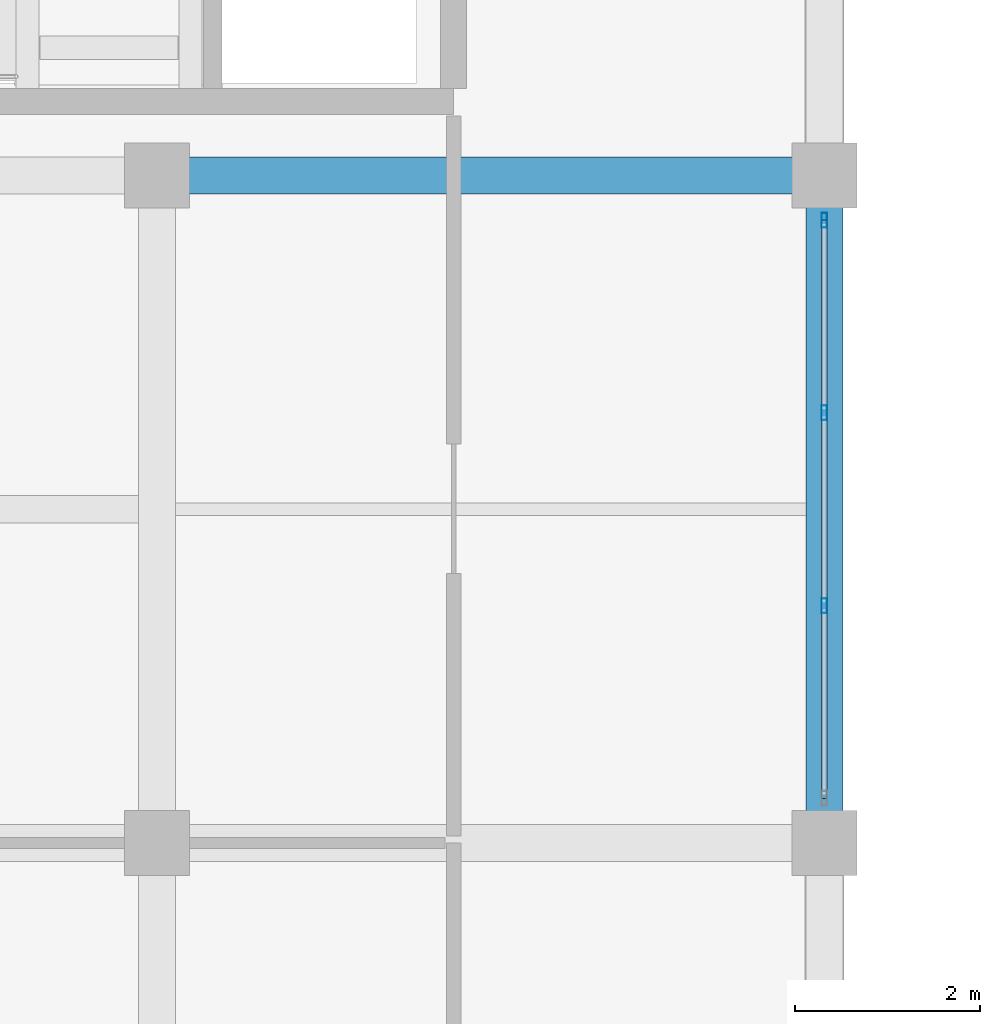
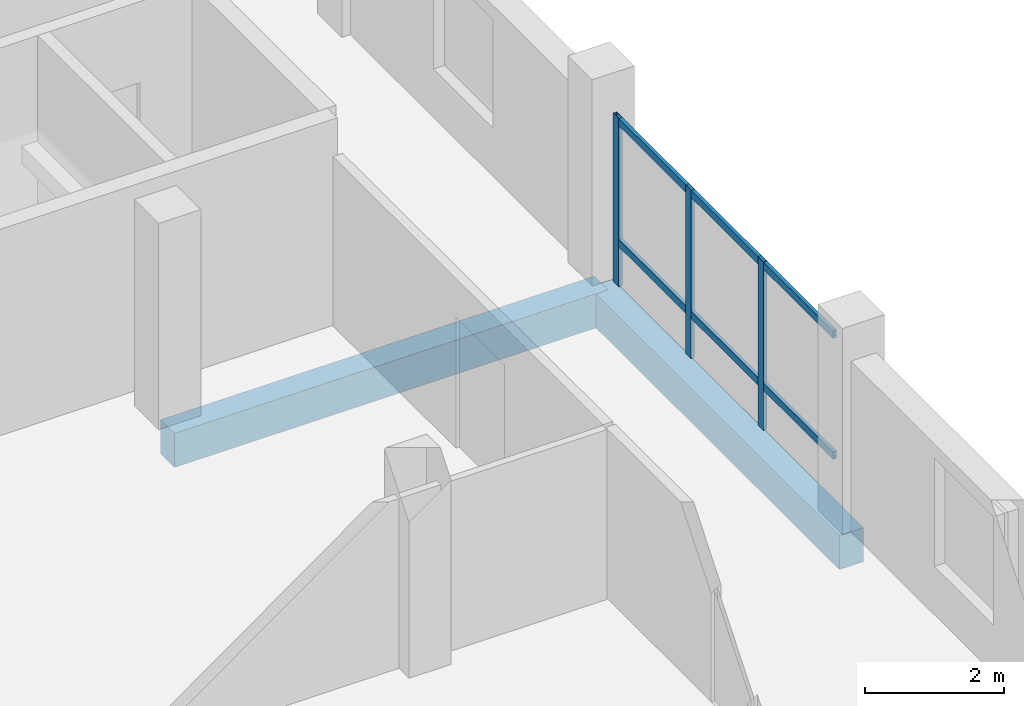
# One storey, part 25 of 128: 5 members, 2 beams, 1 element without a shape of its own.
"""IFC4 building model written with IfcOpenShell, lengths in metres."""

from ifc_helpers import new_model, si_unit, direction, frame, origin, origin_2d, place, context, subcontext, project, spatial, rectangle, hollow_rectangle, extrude, material, material_profile, profile_set, type_object, element, aggregate, save


model = new_model("IFC4")

# Units and contexts
model_context = context("Model", 3, precision=1e-05, world=origin(), true_north=direction((0.0, 1.0)))
body_context = subcontext(model_context, "Body", "Model", "MODEL_VIEW")
ifc_project = project(units=[si_unit("LENGTHUNIT", "METRE"), si_unit("AREAUNIT", "SQUARE_METRE"), si_unit("VOLUMEUNIT", "CUBIC_METRE"), si_unit("PLANEANGLEUNIT", "RADIAN"), si_unit("MASSUNIT", "GRAM", prefix="KILO")], contexts=[model_context])

# Site, building, storey
site_placement = place(None, origin())
site = spatial("IfcSite", under=ifc_project, at=site_placement, CompositionType="ELEMENT")
building_placement = place(site_placement, origin())
building = spatial("IfcBuilding", under=site, at=building_placement, Name="Zornivar Specialist Clinic", CompositionType="ELEMENT")
storey_placement = place(building_placement, frame((0.0, 0.0, 4.5)))
storey = spatial("IfcBuildingStorey", under=building, at=storey_placement, Name="L01", CompositionType="ELEMENT", Elevation=4.5)

# Beams
ifc_material_1 = material(Name="Concrete C30/37", Category="concrete")
ifc_material_profile_1 = material_profile(ifc_material_1, rectangle(XDim=0.39990234375, YDim=0.60009765625, at=origin_2d()), Name="RC 400x600")
ifc_profile_set_1 = profile_set([ifc_material_profile_1], Name="Concrete C30/37")
beam_type = type_object("IfcBeamType", Name="BM-RC-400x600", PredefinedType="BEAM", material=ifc_profile_set_1)
for number, where, z_axis, x_axis, name in (
    (1, (7.199951171875, 36.0, -0.580078125), (1.0, 0.0, 0.0), (0.0, 1.0, 0.0), "bm:V2:L01:x:360:1"),
    (2, (14.39990234375, 28.800048828125, -0.580078125), (0.0, 1.0, 0.0), (-1.0, 0.0, 0.0), "bm:V2:L01:y:144:4"),
):
    element("IfcBeam", number, at=place(storey_placement, frame(where, z_axis=z_axis, x_axis=x_axis)), inside=storey, type_object=beam_type, Name=name, PredefinedType="BEAM", context=body_context, shape_type="SweptSolid", body=[
        extrude(rectangle(XDim=0.39990234375, YDim=0.60009765625, at=origin_2d()), origin(), (0.0, 0.0, 1.0), 7.199951171875),
    ])

# Curtain wall, members
ifc_material_2 = material(Name="Aluminium and Low-E Glass Curtain Wall", Category="aluminium")
curtain_wall_type = type_object("IfcCurtainWallType", Name="CW-REVAK-COURT", PredefinedType="NOTDEFINED", material=ifc_material_2)
curtain_wall_placement = place(storey_placement, origin())
curtain_wall = element("IfcCurtainWall", 3, at=curtain_wall_placement, inside=storey, type_object=curtain_wall_type, Name="cw:V2:L01:16", PredefinedType="NOTDEFINED")
ifc_material_3 = material(Name="Aluminium AW-6060", Category="aluminium")
ifc_material_profile_2 = material_profile(ifc_material_3, hollow_rectangle(XDim=0.06005859375, YDim=0.159912109375, WallThickness=0.00390625, at=origin_2d()), Name="ALU 60x160x4")
ifc_profile_set_2 = profile_set([ifc_material_profile_2], Name="Aluminium AW-6060")
member_type_1 = type_object("IfcMemberType", Name="CWM-MUL-160", PredefinedType="MULLION", material=ifc_profile_set_2)
member_1_placement = place(storey_placement, frame((14.39990234375, 31.360107421875, 0.0), z_axis=(0.0, 0.0, 1.0), x_axis=(1.0, 0.0, 0.0)))
member_1 = element("IfcMember", 4, at=member_1_placement, type_object=member_type_1, Name="cw:V2:L01:16:mul:1", PredefinedType="MULLION", context=body_context, shape_type="SweptSolid", body=[
    extrude(hollow_rectangle(XDim=0.06005859375, YDim=0.159912109375, WallThickness=0.00390625, at=origin_2d()), origin(), (0.0, 0.0, 1.0), 2.9599609375),
])
member_2_placement = place(storey_placement, frame((14.39990234375, 33.43994140625, 0.0), z_axis=(0.0, 0.0, 1.0), x_axis=(1.0, 0.0, 0.0)))
member_2 = element("IfcMember", 5, at=member_2_placement, type_object=member_type_1, Name="cw:V2:L01:16:mul:2", PredefinedType="MULLION", context=body_context, shape_type="SweptSolid", body=[
    extrude(hollow_rectangle(XDim=0.06005859375, YDim=0.159912109375, WallThickness=0.00390625, at=origin_2d()), origin(), (0.0, 0.0, 1.0), 2.9599609375),
])
member_3_placement = place(storey_placement, frame((14.39990234375, 35.52001953125, 0.0), z_axis=(0.0, 0.0, 1.0), x_axis=(1.0, 0.0, 0.0)))
member_3 = element("IfcMember", 6, at=member_3_placement, type_object=member_type_1, Name="cw:V2:L01:16:mul:3", PredefinedType="MULLION", context=body_context, shape_type="SweptSolid", body=[
    extrude(hollow_rectangle(XDim=0.06005859375, YDim=0.159912109375, WallThickness=0.00390625, at=origin_2d()), origin(), (0.0, 0.0, 1.0), 2.9599609375),
])
ifc_material_4 = material(Name="Aluminium AW-6060", Category="aluminium")
ifc_material_profile_3 = material_profile(ifc_material_4, hollow_rectangle(XDim=0.06005859375, YDim=0.1298828125, WallThickness=0.00390625, at=origin_2d()), Name="ALU 60x130x4")
ifc_profile_set_3 = profile_set([ifc_material_profile_3], Name="Aluminium AW-6060")
member_type_2 = type_object("IfcMemberType", Name="CWM-TRN-130", PredefinedType="USERDEFINED", material=ifc_profile_set_3)
member_4_placement = place(storey_placement, frame((14.39990234375, 29.280029296875, 0.77001953125), z_axis=(0.0, 1.0, 0.0), x_axis=(-1.0, 0.0, 0.0)))
member_4 = element("IfcMember", 7, at=member_4_placement, type_object=member_type_2, Name="cw:V2:L01:16:trn:0", ObjectType="TRANSOM", PredefinedType="USERDEFINED", context=body_context, shape_type="SweptSolid", body=[
    extrude(hollow_rectangle(XDim=0.06005859375, YDim=0.1298828125, WallThickness=0.00390625, at=origin_2d()), origin(), (0.0, 0.0, 1.0), 6.239990234375),
])
member_5_placement = place(storey_placement, frame((14.39990234375, 29.280029296875, 2.89501953125), z_axis=(0.0, 1.0, 0.0), x_axis=(-1.0, 0.0, 0.0)))
member_5 = element("IfcMember", 8, at=member_5_placement, type_object=member_type_2, Name="cw:V2:L01:16:trn:1", ObjectType="TRANSOM", PredefinedType="USERDEFINED", context=body_context, shape_type="SweptSolid", body=[
    extrude(hollow_rectangle(XDim=0.06005859375, YDim=0.1298828125, WallThickness=0.00390625, at=origin_2d()), origin(), (0.0, 0.0, 1.0), 6.239990234375),
])
aggregate(curtain_wall, [member_1, member_2, member_3, member_4, member_5])

save(model, "model.ifc")
